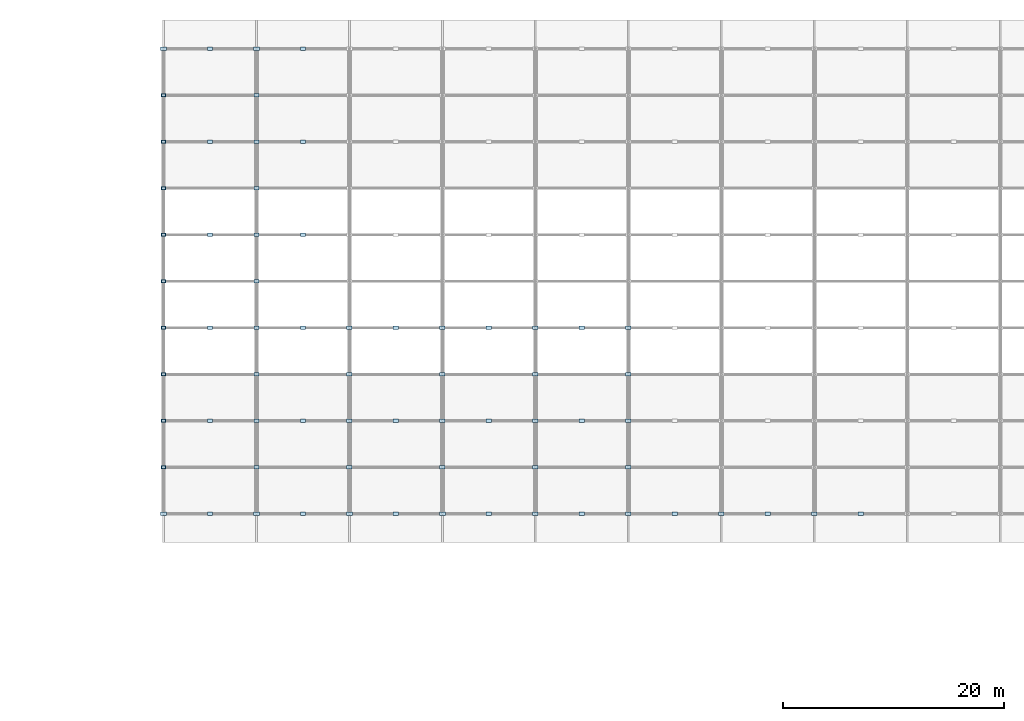
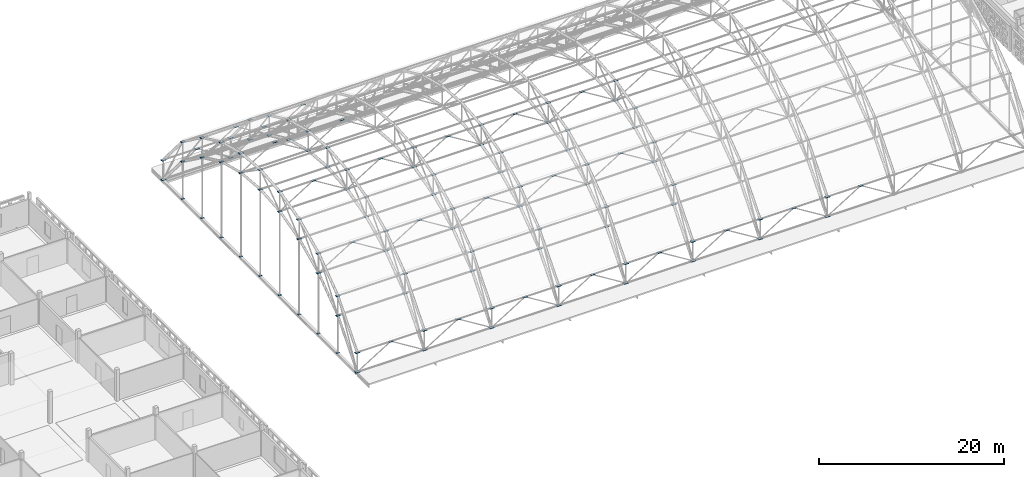
# One storey, part 66 of 103: 130 plates.
"""IFC4 building model written with IfcOpenShell, lengths in metres."""

from ifc_helpers import new_model, si_unit, direction, frame, origin, origin_2d, place, context, subcontext, project, spatial, rectangle, extrude, material, layer, layer_set, type_object, element, save


model = new_model("IFC4")

# Units and contexts
model_context = context("Model", 3, precision=1e-05, world=origin(), true_north=direction((0.0, 1.0)))
body_context = subcontext(model_context, "Body", "Model", "MODEL_VIEW")
ifc_project = project(units=[si_unit("LENGTHUNIT", "METRE"), si_unit("AREAUNIT", "SQUARE_METRE"), si_unit("VOLUMEUNIT", "CUBIC_METRE"), si_unit("PLANEANGLEUNIT", "RADIAN"), si_unit("MASSUNIT", "GRAM", prefix="KILO")], contexts=[model_context])

# Site, building, storey
site_placement = place(None, origin())
site = spatial("IfcSite", under=ifc_project, at=site_placement, CompositionType="ELEMENT")
building_placement = place(site_placement, origin())
building = spatial("IfcBuilding", under=site, at=building_placement, Name="Varnapada Polytechnic", CompositionType="ELEMENT")
storey_placement = place(building_placement, frame((0.0, 0.0, 18.0)))
storey = spatial("IfcBuildingStorey", under=building, at=storey_placement, Name="L04", CompositionType="ELEMENT", Elevation=18.0)

# Plates
ifc_material = material(Name="Steel S355", Category="steel")
ifc_layer_1 = layer(ifc_material, 0.01611328125)
ifc_layer_set_1 = layer_set([ifc_layer_1], Name="Steel S355")
plate_type_1 = type_object("IfcPlateType", Name="Plate BP-07", PredefinedType="SHEET", material=ifc_layer_set_1)
for number, where, z_axis, x_axis, name in (
    (1, (50.39990234375, 88.199951171875, -0.008056640625), (0.0, 0.0, 1.0), (1.0, 0.0, 0.0), "Workshop arch tympanum post plate W.1.B"),
    (2, (50.39990234375, 88.199951171875, 4.941162109375), (0.0, 0.0, 1.0), (1.0, 0.0, 0.0), "Workshop arch tympanum post plate W.1.T"),
    (3, (50.39990234375, 92.39990234375, -0.008056640625), (0.0, 0.0, 1.0), (1.0, 0.0, 0.0), "Workshop arch tympanum post plate W.2.B"),
    (4, (50.39990234375, 92.39990234375, 8.019775390625), (0.0, 0.0, 1.0), (1.0, 0.0, 0.0), "Workshop arch tympanum post plate W.2.T"),
    (5, (50.39990234375, 96.60009765625, -0.008056640625), (0.0, 0.0, 1.0), (1.0, 0.0, 0.0), "Workshop arch tympanum post plate W.3.B"),
    (6, (50.39990234375, 96.60009765625, 9.973876953125), (0.0, 0.0, 1.0), (1.0, 0.0, 0.0), "Workshop arch tympanum post plate W.3.T"),
    (7, (50.39990234375, 100.800048828125, -0.008056640625), (0.0, 0.0, 1.0), (1.0, 0.0, 0.0), "Workshop arch tympanum post plate W.4.B"),
    (8, (50.39990234375, 100.800048828125, 11.072021484375), (0.0, 0.0, 1.0), (1.0, 0.0, 0.0), "Workshop arch tympanum post plate W.4.T"),
    (9, (50.39990234375, 105.0, -0.008056640625), (0.0, 0.0, 1.0), (1.0, 0.0, 0.0), "Workshop arch tympanum post plate W.5.B"),
    (10, (50.39990234375, 105.0, 11.42724609375), (0.0, 0.0, 1.0), (1.0, 0.0, 0.0), "Workshop arch tympanum post plate W.5.T"),
    (11, (50.39990234375, 109.199951171875, -0.008056640625), (0.0, 0.0, 1.0), (1.0, 0.0, 0.0), "Workshop arch tympanum post plate W.6.B"),
    (12, (50.39990234375, 109.199951171875, 11.072021484375), (0.0, 0.0, 1.0), (1.0, 0.0, 0.0), "Workshop arch tympanum post plate W.6.T"),
    (13, (50.39990234375, 113.39990234375, -0.008056640625), (0.0, 0.0, 1.0), (1.0, 0.0, 0.0), "Workshop arch tympanum post plate W.7.B"),
    (14, (50.39990234375, 113.39990234375, 9.973876953125), (0.0, 0.0, 1.0), (1.0, 0.0, 0.0), "Workshop arch tympanum post plate W.7.T"),
    (15, (50.39990234375, 117.60009765625, -0.008056640625), (0.0, 0.0, 1.0), (1.0, 0.0, 0.0), "Workshop arch tympanum post plate W.8.B"),
    (16, (50.39990234375, 117.60009765625, 8.019775390625), (0.0, 0.0, 1.0), (1.0, 0.0, 0.0), "Workshop arch tympanum post plate W.8.T"),
    (17, (50.39990234375, 121.800048828125, -0.008056640625), (0.0, 0.0, 1.0), (1.0, 0.0, 0.0), "Workshop arch tympanum post plate W.9.B"),
    (18, (50.39990234375, 121.800048828125, 4.941162109375), (0.0, 0.0, 1.0), (1.0, 0.0, 0.0), "Workshop arch tympanum post plate W.9.T"),
):
    element("IfcPlate", number, at=place(storey_placement, frame(where, z_axis=z_axis, x_axis=x_axis)), inside=storey, type_object=plate_type_1, Name=name, PredefinedType="SHEET", context=body_context, shape_type="SweptSolid", body=[
        extrude(rectangle(XDim=0.360107421875, YDim=0.219970703125, at=origin_2d()), origin(), (0.0, 0.0, 1.0), 0.01611328125),
    ])
ifc_layer_2 = layer(ifc_material, 0.02490234375)
ifc_layer_set_2 = layer_set([ifc_layer_2], Name="Steel S355")
plate_type_2 = type_object("IfcPlateType", Name="Plate NP-01", PredefinedType="USERDEFINED", material=ifc_layer_set_2)
for number, where, z_axis, x_axis, name in (
    (19, (54.60009765625, 84.0, 2.587646484375), (0.0, 0.0, 1.0), (1.0, 0.0, 0.0), "Vaulted space frame mid-chord brace plate 1.1"),
    (20, (50.39990234375, 88.199951171875, 4.936767578125), (0.0, 0.0, 1.0), (1.0, 0.0, 0.0), "Vaulted space frame bottom node plate 1.2"),
    (21, (50.39990234375, 88.199951171875, 7.53662109375), (0.0, 0.0, 1.0), (1.0, 0.0, 0.0), "Vaulted space frame top node plate 1.2"),
    (22, (50.39990234375, 92.39990234375, 8.015380859375), (0.0, 0.0, 1.0), (1.0, 0.0, 0.0), "Vaulted space frame bottom node plate 1.3"),
    (23, (50.39990234375, 92.39990234375, 10.615478515625), (0.0, 0.0, 1.0), (1.0, 0.0, 0.0), "Vaulted space frame top node plate 1.3"),
    (24, (54.60009765625, 92.39990234375, 10.615478515625), (0.0, 0.0, 1.0), (1.0, 0.0, 0.0), "Vaulted space frame mid-chord brace plate 1.3"),
    (25, (50.39990234375, 96.60009765625, 9.969482421875), (0.0, 0.0, 1.0), (1.0, 0.0, 0.0), "Vaulted space frame bottom node plate 1.4"),
    (26, (50.39990234375, 96.60009765625, 12.5693359375), (0.0, 0.0, 1.0), (1.0, 0.0, 0.0), "Vaulted space frame top node plate 1.4"),
    (27, (50.39990234375, 100.800048828125, 11.067626953125), (0.0, 0.0, 1.0), (1.0, 0.0, 0.0), "Vaulted space frame bottom node plate 1.5"),
    (28, (50.39990234375, 100.800048828125, 13.66748046875), (0.0, 0.0, 1.0), (1.0, 0.0, 0.0), "Vaulted space frame top node plate 1.5"),
    (29, (54.60009765625, 100.800048828125, 13.66748046875), (0.0, 0.0, 1.0), (1.0, 0.0, 0.0), "Vaulted space frame mid-chord brace plate 1.5"),
    (30, (50.39990234375, 109.199951171875, 11.067626953125), (0.0, 0.0, 1.0), (1.0, 0.0, 0.0), "Vaulted space frame bottom node plate 1.7"),
    (31, (50.39990234375, 109.199951171875, 13.66748046875), (0.0, 0.0, 1.0), (1.0, 0.0, 0.0), "Vaulted space frame top node plate 1.7"),
    (32, (54.60009765625, 109.199951171875, 13.66748046875), (0.0, 0.0, 1.0), (1.0, 0.0, 0.0), "Vaulted space frame mid-chord brace plate 1.7"),
    (33, (50.39990234375, 113.39990234375, 9.969482421875), (0.0, 0.0, 1.0), (1.0, 0.0, 0.0), "Vaulted space frame bottom node plate 1.8"),
    (34, (50.39990234375, 113.39990234375, 12.5693359375), (0.0, 0.0, 1.0), (1.0, 0.0, 0.0), "Vaulted space frame top node plate 1.8"),
    (35, (50.39990234375, 117.60009765625, 8.015380859375), (0.0, 0.0, 1.0), (1.0, 0.0, 0.0), "Vaulted space frame bottom node plate 1.9"),
    (36, (50.39990234375, 117.60009765625, 10.615478515625), (0.0, 0.0, 1.0), (1.0, 0.0, 0.0), "Vaulted space frame top node plate 1.9"),
    (37, (54.60009765625, 117.60009765625, 10.615478515625), (0.0, 0.0, 1.0), (1.0, 0.0, 0.0), "Vaulted space frame mid-chord brace plate 1.9"),
    (38, (50.39990234375, 121.800048828125, 4.936767578125), (0.0, 0.0, 1.0), (1.0, 0.0, 0.0), "Vaulted space frame bottom node plate 1.10"),
    (39, (50.39990234375, 121.800048828125, 7.53662109375), (0.0, 0.0, 1.0), (1.0, 0.0, 0.0), "Vaulted space frame top node plate 1.10"),
    (40, (54.60009765625, 126.0, 2.587646484375), (0.0, 0.0, 1.0), (1.0, 0.0, 0.0), "Vaulted space frame mid-chord brace plate 1.11"),
    (41, (63.0, 84.0, 2.587646484375), (0.0, 0.0, 1.0), (1.0, 0.0, 0.0), "Vaulted space frame mid-chord brace plate 2.1"),
    (42, (58.800048828125, 88.199951171875, 4.936767578125), (0.0, 0.0, 1.0), (1.0, 0.0, 0.0), "Vaulted space frame bottom node plate 2.2"),
    (43, (58.800048828125, 88.199951171875, 7.53662109375), (0.0, 0.0, 1.0), (1.0, 0.0, 0.0), "Vaulted space frame top node plate 2.2"),
    (44, (58.800048828125, 92.39990234375, 8.015380859375), (0.0, 0.0, 1.0), (1.0, 0.0, 0.0), "Vaulted space frame bottom node plate 2.3"),
    (45, (58.800048828125, 92.39990234375, 10.615478515625), (0.0, 0.0, 1.0), (1.0, 0.0, 0.0), "Vaulted space frame top node plate 2.3"),
    (46, (63.0, 92.39990234375, 10.615478515625), (0.0, 0.0, 1.0), (1.0, 0.0, 0.0), "Vaulted space frame mid-chord brace plate 2.3"),
    (47, (58.800048828125, 96.60009765625, 9.969482421875), (0.0, 0.0, 1.0), (1.0, 0.0, 0.0), "Vaulted space frame bottom node plate 2.4"),
    (48, (58.800048828125, 96.60009765625, 12.5693359375), (0.0, 0.0, 1.0), (1.0, 0.0, 0.0), "Vaulted space frame top node plate 2.4"),
    (49, (58.800048828125, 100.800048828125, 11.067626953125), (0.0, 0.0, 1.0), (1.0, 0.0, 0.0), "Vaulted space frame bottom node plate 2.5"),
    (50, (58.800048828125, 100.800048828125, 13.66748046875), (0.0, 0.0, 1.0), (1.0, 0.0, 0.0), "Vaulted space frame top node plate 2.5"),
    (51, (63.0, 100.800048828125, 13.66748046875), (0.0, 0.0, 1.0), (1.0, 0.0, 0.0), "Vaulted space frame mid-chord brace plate 2.5"),
    (52, (58.800048828125, 109.199951171875, 11.067626953125), (0.0, 0.0, 1.0), (1.0, 0.0, 0.0), "Vaulted space frame bottom node plate 2.7"),
    (53, (58.800048828125, 109.199951171875, 13.66748046875), (0.0, 0.0, 1.0), (1.0, 0.0, 0.0), "Vaulted space frame top node plate 2.7"),
    (54, (63.0, 109.199951171875, 13.66748046875), (0.0, 0.0, 1.0), (1.0, 0.0, 0.0), "Vaulted space frame mid-chord brace plate 2.7"),
    (55, (58.800048828125, 113.39990234375, 9.969482421875), (0.0, 0.0, 1.0), (1.0, 0.0, 0.0), "Vaulted space frame bottom node plate 2.8"),
    (56, (58.800048828125, 113.39990234375, 12.5693359375), (0.0, 0.0, 1.0), (1.0, 0.0, 0.0), "Vaulted space frame top node plate 2.8"),
    (57, (58.800048828125, 117.60009765625, 8.015380859375), (0.0, 0.0, 1.0), (1.0, 0.0, 0.0), "Vaulted space frame bottom node plate 2.9"),
    (58, (58.800048828125, 117.60009765625, 10.615478515625), (0.0, 0.0, 1.0), (1.0, 0.0, 0.0), "Vaulted space frame top node plate 2.9"),
    (59, (63.0, 117.60009765625, 10.615478515625), (0.0, 0.0, 1.0), (1.0, 0.0, 0.0), "Vaulted space frame mid-chord brace plate 2.9"),
    (60, (58.800048828125, 121.800048828125, 4.936767578125), (0.0, 0.0, 1.0), (1.0, 0.0, 0.0), "Vaulted space frame bottom node plate 2.10"),
    (61, (58.800048828125, 121.800048828125, 7.53662109375), (0.0, 0.0, 1.0), (1.0, 0.0, 0.0), "Vaulted space frame top node plate 2.10"),
    (62, (63.0, 126.0, 2.587646484375), (0.0, 0.0, 1.0), (1.0, 0.0, 0.0), "Vaulted space frame mid-chord brace plate 2.11"),
    (63, (71.39990234375, 84.0, 2.587646484375), (0.0, 0.0, 1.0), (1.0, 0.0, 0.0), "Vaulted space frame mid-chord brace plate 3.1"),
    (64, (67.199951171875, 88.199951171875, 4.936767578125), (0.0, 0.0, 1.0), (1.0, 0.0, 0.0), "Vaulted space frame bottom node plate 3.2"),
    (65, (67.199951171875, 88.199951171875, 7.53662109375), (0.0, 0.0, 1.0), (1.0, 0.0, 0.0), "Vaulted space frame top node plate 3.2"),
    (66, (67.199951171875, 92.39990234375, 8.015380859375), (0.0, 0.0, 1.0), (1.0, 0.0, 0.0), "Vaulted space frame bottom node plate 3.3"),
    (67, (67.199951171875, 92.39990234375, 10.615478515625), (0.0, 0.0, 1.0), (1.0, 0.0, 0.0), "Vaulted space frame top node plate 3.3"),
    (68, (71.39990234375, 92.39990234375, 10.615478515625), (0.0, 0.0, 1.0), (1.0, 0.0, 0.0), "Vaulted space frame mid-chord brace plate 3.3"),
    (69, (67.199951171875, 96.60009765625, 9.969482421875), (0.0, 0.0, 1.0), (1.0, 0.0, 0.0), "Vaulted space frame bottom node plate 3.4"),
    (70, (67.199951171875, 96.60009765625, 12.5693359375), (0.0, 0.0, 1.0), (1.0, 0.0, 0.0), "Vaulted space frame top node plate 3.4"),
    (71, (67.199951171875, 100.800048828125, 11.067626953125), (0.0, 0.0, 1.0), (1.0, 0.0, 0.0), "Vaulted space frame bottom node plate 3.5"),
    (72, (67.199951171875, 100.800048828125, 13.66748046875), (0.0, 0.0, 1.0), (1.0, 0.0, 0.0), "Vaulted space frame top node plate 3.5"),
    (73, (71.39990234375, 100.800048828125, 13.66748046875), (0.0, 0.0, 1.0), (1.0, 0.0, 0.0), "Vaulted space frame mid-chord brace plate 3.5"),
    (74, (79.800048828125, 84.0, 2.587646484375), (0.0, 0.0, 1.0), (1.0, 0.0, 0.0), "Vaulted space frame mid-chord brace plate 4.1"),
    (75, (75.60009765625, 88.199951171875, 4.936767578125), (0.0, 0.0, 1.0), (1.0, 0.0, 0.0), "Vaulted space frame bottom node plate 4.2"),
    (76, (75.60009765625, 88.199951171875, 7.53662109375), (0.0, 0.0, 1.0), (1.0, 0.0, 0.0), "Vaulted space frame top node plate 4.2"),
    (77, (75.60009765625, 92.39990234375, 8.015380859375), (0.0, 0.0, 1.0), (1.0, 0.0, 0.0), "Vaulted space frame bottom node plate 4.3"),
    (78, (75.60009765625, 92.39990234375, 10.615478515625), (0.0, 0.0, 1.0), (1.0, 0.0, 0.0), "Vaulted space frame top node plate 4.3"),
    (79, (79.800048828125, 92.39990234375, 10.615478515625), (0.0, 0.0, 1.0), (1.0, 0.0, 0.0), "Vaulted space frame mid-chord brace plate 4.3"),
    (80, (75.60009765625, 96.60009765625, 9.969482421875), (0.0, 0.0, 1.0), (1.0, 0.0, 0.0), "Vaulted space frame bottom node plate 4.4"),
    (81, (75.60009765625, 96.60009765625, 12.5693359375), (0.0, 0.0, 1.0), (1.0, 0.0, 0.0), "Vaulted space frame top node plate 4.4"),
    (82, (75.60009765625, 100.800048828125, 11.067626953125), (0.0, 0.0, 1.0), (1.0, 0.0, 0.0), "Vaulted space frame bottom node plate 4.5"),
    (83, (75.60009765625, 100.800048828125, 13.66748046875), (0.0, 0.0, 1.0), (1.0, 0.0, 0.0), "Vaulted space frame top node plate 4.5"),
    (84, (79.800048828125, 100.800048828125, 13.66748046875), (0.0, 0.0, 1.0), (1.0, 0.0, 0.0), "Vaulted space frame mid-chord brace plate 4.5"),
    (85, (88.199951171875, 84.0, 2.587646484375), (0.0, 0.0, 1.0), (1.0, 0.0, 0.0), "Vaulted space frame mid-chord brace plate 5.1"),
    (86, (84.0, 88.199951171875, 4.936767578125), (0.0, 0.0, 1.0), (1.0, 0.0, 0.0), "Vaulted space frame bottom node plate 5.2"),
    (87, (84.0, 88.199951171875, 7.53662109375), (0.0, 0.0, 1.0), (1.0, 0.0, 0.0), "Vaulted space frame top node plate 5.2"),
    (88, (84.0, 92.39990234375, 8.015380859375), (0.0, 0.0, 1.0), (1.0, 0.0, 0.0), "Vaulted space frame bottom node plate 5.3"),
    (89, (84.0, 92.39990234375, 10.615478515625), (0.0, 0.0, 1.0), (1.0, 0.0, 0.0), "Vaulted space frame top node plate 5.3"),
    (90, (88.199951171875, 92.39990234375, 10.615478515625), (0.0, 0.0, 1.0), (1.0, 0.0, 0.0), "Vaulted space frame mid-chord brace plate 5.3"),
    (91, (84.0, 96.60009765625, 9.969482421875), (0.0, 0.0, 1.0), (1.0, 0.0, 0.0), "Vaulted space frame bottom node plate 5.4"),
    (92, (84.0, 96.60009765625, 12.5693359375), (0.0, 0.0, 1.0), (1.0, 0.0, 0.0), "Vaulted space frame top node plate 5.4"),
    (93, (84.0, 100.800048828125, 11.067626953125), (0.0, 0.0, 1.0), (1.0, 0.0, 0.0), "Vaulted space frame bottom node plate 5.5"),
    (94, (84.0, 100.800048828125, 13.66748046875), (0.0, 0.0, 1.0), (1.0, 0.0, 0.0), "Vaulted space frame top node plate 5.5"),
    (95, (88.199951171875, 100.800048828125, 13.66748046875), (0.0, 0.0, 1.0), (1.0, 0.0, 0.0), "Vaulted space frame mid-chord brace plate 5.5"),
    (96, (96.60009765625, 84.0, 2.587646484375), (0.0, 0.0, 1.0), (1.0, 0.0, 0.0), "Vaulted space frame mid-chord brace plate 6.1"),
    (97, (92.39990234375, 88.199951171875, 4.936767578125), (0.0, 0.0, 1.0), (1.0, 0.0, 0.0), "Vaulted space frame bottom node plate 6.2"),
    (98, (92.39990234375, 88.199951171875, 7.53662109375), (0.0, 0.0, 1.0), (1.0, 0.0, 0.0), "Vaulted space frame top node plate 6.2"),
    (99, (92.39990234375, 92.39990234375, 8.015380859375), (0.0, 0.0, 1.0), (1.0, 0.0, 0.0), "Vaulted space frame bottom node plate 6.3"),
    (100, (92.39990234375, 92.39990234375, 10.615478515625), (0.0, 0.0, 1.0), (1.0, 0.0, 0.0), "Vaulted space frame top node plate 6.3"),
    (101, (92.39990234375, 96.60009765625, 9.969482421875), (0.0, 0.0, 1.0), (1.0, 0.0, 0.0), "Vaulted space frame bottom node plate 6.4"),
    (102, (92.39990234375, 96.60009765625, 12.5693359375), (0.0, 0.0, 1.0), (1.0, 0.0, 0.0), "Vaulted space frame top node plate 6.4"),
    (103, (92.39990234375, 100.800048828125, 11.067626953125), (0.0, 0.0, 1.0), (1.0, 0.0, 0.0), "Vaulted space frame bottom node plate 6.5"),
    (104, (92.39990234375, 100.800048828125, 13.66748046875), (0.0, 0.0, 1.0), (1.0, 0.0, 0.0), "Vaulted space frame top node plate 6.5"),
    (105, (105.0, 84.0, 2.587646484375), (0.0, 0.0, 1.0), (1.0, 0.0, 0.0), "Vaulted space frame mid-chord brace plate 7.1"),
    (106, (113.39990234375, 84.0, 2.587646484375), (0.0, 0.0, 1.0), (1.0, 0.0, 0.0), "Vaulted space frame mid-chord brace plate 8.1"),
):
    element("IfcPlate", number, at=place(storey_placement, frame(where, z_axis=z_axis, x_axis=x_axis)), inside=storey, type_object=plate_type_2, Name=name, ObjectType="NODE_PLATE", PredefinedType="USERDEFINED", context=body_context, shape_type="SweptSolid", body=[
        extrude(rectangle(XDim=0.47998046875, YDim=0.300048828125, at=origin_2d()), origin(), (0.0, 0.0, 1.0), 0.02490234375),
    ])
ifc_layer_3 = layer(ifc_material, 0.028076171875)
ifc_layer_set_3 = layer_set([ifc_layer_3], Name="Steel S355")
plate_type_3 = type_object("IfcPlateType", Name="Plate NP-03", PredefinedType="USERDEFINED", material=ifc_layer_set_3)
for number, where, z_axis, x_axis, name in (
    (107, (50.39990234375, 84.0, -0.01416015625), (0.0, 0.0, 1.0), (1.0, 0.0, 0.0), "Vaulted space frame bottom node plate 1.1"),
    (108, (50.39990234375, 84.0, 2.5859375), (0.0, 0.0, 1.0), (1.0, 0.0, 0.0), "Vaulted space frame top node plate 1.1"),
    (109, (50.39990234375, 126.0, -0.01416015625), (0.0, 0.0, 1.0), (1.0, 0.0, 0.0), "Vaulted space frame bottom node plate 1.11"),
    (110, (50.39990234375, 126.0, 2.5859375), (0.0, 0.0, 1.0), (1.0, 0.0, 0.0), "Vaulted space frame top node plate 1.11"),
    (111, (58.800048828125, 84.0, -0.01416015625), (0.0, 0.0, 1.0), (1.0, 0.0, 0.0), "Vaulted space frame bottom node plate 2.1"),
    (112, (58.800048828125, 84.0, 2.5859375), (0.0, 0.0, 1.0), (1.0, 0.0, 0.0), "Vaulted space frame top node plate 2.1"),
    (113, (58.800048828125, 126.0, -0.01416015625), (0.0, 0.0, 1.0), (1.0, 0.0, 0.0), "Vaulted space frame bottom node plate 2.11"),
    (114, (58.800048828125, 126.0, 2.5859375), (0.0, 0.0, 1.0), (1.0, 0.0, 0.0), "Vaulted space frame top node plate 2.11"),
    (115, (67.199951171875, 84.0, -0.01416015625), (0.0, 0.0, 1.0), (1.0, 0.0, 0.0), "Vaulted space frame bottom node plate 3.1"),
    (116, (67.199951171875, 84.0, 2.5859375), (0.0, 0.0, 1.0), (1.0, 0.0, 0.0), "Vaulted space frame top node plate 3.1"),
    (117, (75.60009765625, 84.0, -0.01416015625), (0.0, 0.0, 1.0), (1.0, 0.0, 0.0), "Vaulted space frame bottom node plate 4.1"),
    (118, (75.60009765625, 84.0, 2.5859375), (0.0, 0.0, 1.0), (1.0, 0.0, 0.0), "Vaulted space frame top node plate 4.1"),
    (119, (84.0, 84.0, -0.01416015625), (0.0, 0.0, 1.0), (1.0, 0.0, 0.0), "Vaulted space frame bottom node plate 5.1"),
    (120, (84.0, 84.0, 2.5859375), (0.0, 0.0, 1.0), (1.0, 0.0, 0.0), "Vaulted space frame top node plate 5.1"),
    (121, (92.39990234375, 84.0, -0.01416015625), (0.0, 0.0, 1.0), (1.0, 0.0, 0.0), "Vaulted space frame bottom node plate 6.1"),
    (122, (92.39990234375, 84.0, 2.5859375), (0.0, 0.0, 1.0), (1.0, 0.0, 0.0), "Vaulted space frame top node plate 6.1"),
    (123, (100.800048828125, 84.0, -0.01416015625), (0.0, 0.0, 1.0), (1.0, 0.0, 0.0), "Vaulted space frame bottom node plate 7.1"),
    (124, (100.800048828125, 84.0, 2.5859375), (0.0, 0.0, 1.0), (1.0, 0.0, 0.0), "Vaulted space frame top node plate 7.1"),
    (125, (109.199951171875, 84.0, -0.01416015625), (0.0, 0.0, 1.0), (1.0, 0.0, 0.0), "Vaulted space frame bottom node plate 8.1"),
    (126, (109.199951171875, 84.0, 2.5859375), (0.0, 0.0, 1.0), (1.0, 0.0, 0.0), "Vaulted space frame top node plate 8.1"),
):
    element("IfcPlate", number, at=place(storey_placement, frame(where, z_axis=z_axis, x_axis=x_axis)), inside=storey, type_object=plate_type_3, Name=name, ObjectType="NODE_PLATE", PredefinedType="USERDEFINED", context=body_context, shape_type="SweptSolid", body=[
        extrude(rectangle(XDim=0.52001953125, YDim=0.340087890625, at=origin_2d()), origin(), (0.0, 0.0, 1.0), 0.028076171875),
    ])
ifc_layer_4 = layer(ifc_material, 0.02392578125)
ifc_layer_set_4 = layer_set([ifc_layer_4], Name="Steel S355")
plate_type_4 = type_object("IfcPlateType", Name="Plate NP-05", PredefinedType="USERDEFINED", material=ifc_layer_set_4)
for number, where, z_axis, x_axis, name in (
    (127, (50.39990234375, 105.0, 11.42333984375), (0.0, 0.0, 1.0), (1.0, 0.0, 0.0), "Vaulted space frame bottom node plate 1.6"),
    (128, (50.39990234375, 105.0, 14.0234375), (0.0, 0.0, 1.0), (1.0, 0.0, 0.0), "Vaulted space frame top node plate 1.6"),
    (129, (58.800048828125, 105.0, 11.42333984375), (0.0, 0.0, 1.0), (1.0, 0.0, 0.0), "Vaulted space frame bottom node plate 2.6"),
    (130, (58.800048828125, 105.0, 14.0234375), (0.0, 0.0, 1.0), (1.0, 0.0, 0.0), "Vaulted space frame top node plate 2.6"),
):
    element("IfcPlate", number, at=place(storey_placement, frame(where, z_axis=z_axis, x_axis=x_axis)), inside=storey, type_object=plate_type_4, Name=name, ObjectType="NODE_PLATE", PredefinedType="USERDEFINED", context=body_context, shape_type="SweptSolid", body=[
        extrude(rectangle(XDim=0.43994140625, YDim=0.280029296875, at=origin_2d()), origin(), (0.0, 0.0, 1.0), 0.02392578125),
    ])

save(model, "model.ifc")
